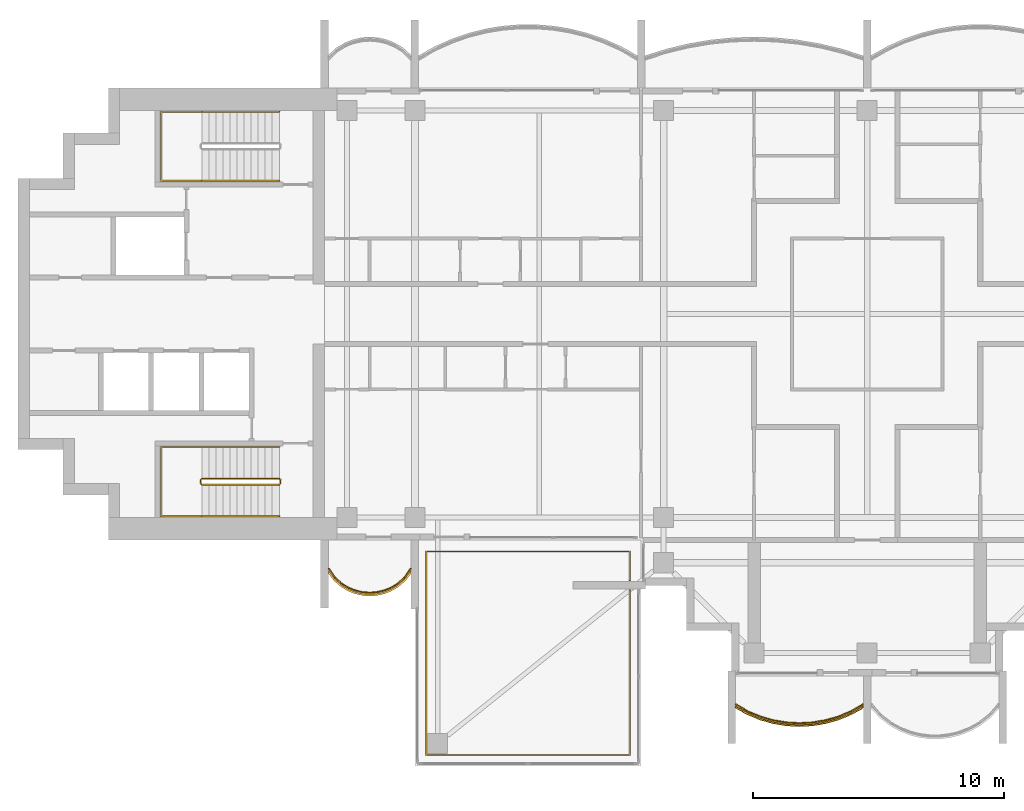
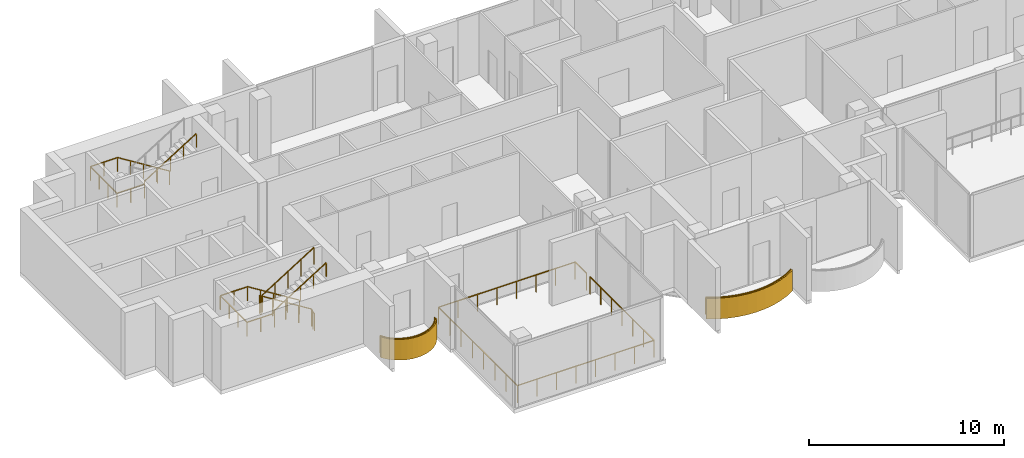
# One storey, part 13 of 16: 6 railings, 2 coverings.
"""IFC4 building model written with IfcOpenShell, lengths in metres."""

import ifcopenshell
import ifcopenshell.guid

model = None  # the IFC model being written
_history = None  # IfcOwnerHistory: only IFC2X3 demands one
_inside = {}  # id of a spatial element -> (the spatial element, [elements in it])
_under = {}  # id of a project, library or spatial element -> (it, [spatial elements below it])
_declared = {}  # id of a project -> (the project, [libraries it declares])
_typed = {}  # id of a type object -> (the type object, [elements of that type])
_made_of = {}  # id of a material, layer set ... -> (it, [elements and type objects made of it])


def new_model(schema):
    """Start an empty IFC model of exactly this schema.

    Asked for "IFC4X3", IfcOpenShell would pick the latest addendum, in which some entities
    have other attributes; the version numbers below select the first issue.
    IFC2X3 requires an IfcOwnerHistory on every rooted entity: one is made here for all.
    """
    global model, _history
    if schema == "IFC4X3":
        model = ifcopenshell.file(schema_version=(4, 3, 0, 0))
    else:
        model = ifcopenshell.file(schema=schema)
    _inside.clear()
    _under.clear()
    _declared.clear()
    _typed.clear()
    _made_of.clear()
    _history = None
    if model.schema == "IFC2X3":
        org = make("IfcOrganization", Name="unknown")
        user = make(
            "IfcPersonAndOrganization",
            ThePerson=make("IfcPerson", FamilyName="unknown"),
            TheOrganization=org,
        )
        app = make(
            "IfcApplication",
            ApplicationDeveloper=org,
            Version="unknown",
            ApplicationFullName="unknown",
            ApplicationIdentifier="unknown",
        )
        _history = make(
            "IfcOwnerHistory",
            OwningUser=user,
            OwningApplication=app,
            ChangeAction="ADDED",
            CreationDate=0,
        )
    return model


def make(cls, **values):
    """One entity of the class cls with the attributes given. An attribute that is None is left unset."""
    return model.create_entity(
        cls, **{name: value for name, value in values.items() if value is not None}
    )


def rooted(cls, **values):
    """An entity with a GlobalId (a new one), such as an element, a storey or a relation."""
    return make(cls, GlobalId=ifcopenshell.guid.new(), OwnerHistory=_history, **values)


def si_unit(unit_type, name, prefix=None):
    """IfcSIUnit, for example si_unit("LENGTHUNIT", "METRE", prefix="MILLI")."""
    return make("IfcSIUnit", UnitType=unit_type, Prefix=prefix, Name=name)


def assignment(units):
    """IfcUnitAssignment: the units of a project."""
    return None if units is None else make("IfcUnitAssignment", Units=units)


def point(xyz):
    """IfcCartesianPoint."""
    return None if xyz is None else make("IfcCartesianPoint", Coordinates=xyz)


def direction(xyz):
    """IfcDirection."""
    return None if xyz is None else make("IfcDirection", DirectionRatios=xyz)


def frame(location, z_axis=None, x_axis=None):
    """IfcAxis2Placement3D, a coordinate frame: its origin and axes. An axis left out is left unset."""
    return make(
        "IfcAxis2Placement3D",
        Location=point(location),
        Axis=direction(z_axis),
        RefDirection=direction(x_axis),
    )


def frame_2d(location, x_axis=None):
    """IfcAxis2Placement2D, a coordinate frame in the plane: its origin and x axis."""
    return make(
        "IfcAxis2Placement2D", Location=point(location), RefDirection=direction(x_axis)
    )


def origin():
    """The frame at (0, 0, 0) with its axes left unset."""
    return frame((0.0, 0.0, 0.0))


def origin_2d():
    """The frame at (0, 0) in the plane with its x axis left unset."""
    return frame_2d((0.0, 0.0))


def place(relative_to, where):
    """IfcLocalPlacement: puts the frame where relative to a parent placement (None: the world)."""
    return make(
        "IfcLocalPlacement", PlacementRelTo=relative_to, RelativePlacement=where
    )


def context(
    kind, dimensions, precision=None, world=None, true_north=None, identifier=None
):
    """IfcGeometricRepresentationContext, for example the 3D "Model" context."""
    return make(
        "IfcGeometricRepresentationContext",
        ContextIdentifier=identifier,
        ContextType=kind,
        CoordinateSpaceDimension=dimensions,
        Precision=precision,
        WorldCoordinateSystem=world,
        TrueNorth=true_north,
    )


def subcontext(parent, identifier, kind, view, scale=None):
    """IfcGeometricRepresentationSubContext, for example "Body" below "Model"."""
    return make(
        "IfcGeometricRepresentationSubContext",
        ContextIdentifier=identifier,
        ContextType=kind,
        ParentContext=parent,
        TargetScale=scale,
        TargetView=view,
    )


def project(units=None, contexts=None):
    """IfcProject with its units and contexts."""
    return rooted(
        "IfcProject",
        Name="project",
        RepresentationContexts=contexts,
        UnitsInContext=assignment(units),
    )


def spatial(cls, under=None, at=None, **own):
    """A site, building, storey or space (cls), placed at a placement, below another one or the project."""
    s = rooted(cls, ObjectPlacement=at, **own)
    if under is not None:
        _under.setdefault(under.id(), (under, []))[1].append(s)
    return s


def polyline(points):
    """IfcPolyline through the points."""
    return make("IfcPolyline", Points=[point(p) for p in points])


def profile(cls, at=None, kind="AREA", **sizes):
    """A parametric profile (cls). Its sizes go by their IFC names, for example OverallWidth=200.0."""
    return make(cls, ProfileType=kind, Position=at, **sizes)


def rectangle(**sizes):
    """IfcRectangleProfileDef."""
    return profile("IfcRectangleProfileDef", **sizes)


def outline(outer, holes=None, kind="AREA"):
    """IfcArbitraryClosedProfileDef: a profile drawn as a closed curve; with holes, ...WithVoids."""
    if holes is None:
        return make("IfcArbitraryClosedProfileDef", ProfileType=kind, OuterCurve=outer)
    return make(
        "IfcArbitraryProfileDefWithVoids",
        ProfileType=kind,
        OuterCurve=outer,
        InnerCurves=holes,
    )


def extrude(swept, where, along, depth):
    """IfcExtrudedAreaSolid: the profile swept, set in the frame where, extruded along a direction by depth."""
    return make(
        "IfcExtrudedAreaSolid",
        SweptArea=swept,
        Position=where,
        ExtrudedDirection=direction(along),
        Depth=depth,
    )


def shape(context_of_items, identifier, shape_type, items):
    """IfcShapeRepresentation: the items that make up one representation, for example the "Body"."""
    return make(
        "IfcShapeRepresentation",
        ContextOfItems=context_of_items,
        RepresentationIdentifier=identifier,
        RepresentationType=shape_type,
        Items=items,
    )


def material(Name=None, Category=None):
    """IfcMaterial."""
    return make("IfcMaterial", Name=Name, Category=Category)


def layer(
    of_material, thickness, ventilated=None, Name=None, Category=None, Priority=None
):
    """IfcMaterialLayer: one layer of a wall or slab, of a material (None: an air gap)."""
    return make(
        "IfcMaterialLayer",
        Material=of_material,
        LayerThickness=thickness,
        IsVentilated=ventilated,
        Name=Name,
        Category=Category,
        Priority=Priority,
    )


def layer_set(layers, Name=None):
    """IfcMaterialLayerSet."""
    return make("IfcMaterialLayerSet", MaterialLayers=layers, LayerSetName=Name)


def made_of(thing, what):
    """Note that an element or type object is made of a material, layer set ...; save() writes the relation."""
    if what is not None:
        _made_of.setdefault(what.id(), (what, []))[1].append(thing)
    return thing


def type_object(cls, material=None, **own):
    """A type object (cls), such as IfcWallType, which elements share."""
    return made_of(rooted(cls, **own), material)


def element(
    cls,
    number,
    at=None,
    inside=None,
    cuts=None,
    type_object=None,
    material=None,
    context=None,
    identifier="Body",
    shape_type=None,
    held_by="IfcProductDefinitionShape",
    body=None,
    shapes=None,
    **own,
):
    """One element of the class cls, such as IfcWall. Its Tag is "e" and its number.

    at: its placement. inside: the storey or other place that contains it. cuts: it is an
    opening in that element (IfcRelVoidsElement). A single representation is given by context,
    identifier, shape_type and body (its items); several are given by shapes. held_by: the class
    of the entity that holds the representations. save() writes the other relations.
    """
    e = rooted(cls, Tag="e%d" % number, ObjectPlacement=at, **own)
    if body is not None:
        shapes = [shape(context, identifier, shape_type, body)]
    if shapes is not None:
        e.Representation = make(held_by, Representations=shapes)
    if inside is not None:
        _inside.setdefault(inside.id(), (inside, []))[1].append(e)
    if cuts is not None:
        rooted(
            "IfcRelVoidsElement", RelatingBuildingElement=cuts, RelatedOpeningElement=e
        )
    if type_object is not None:
        _typed.setdefault(type_object.id(), (type_object, []))[1].append(e)
    return made_of(e, material)


def aggregate(whole, parts):
    """IfcRelAggregates: a whole, such as a stair, and the parts it consists of."""
    return rooted("IfcRelAggregates", RelatingObject=whole, RelatedObjects=parts)


def save(model, path):
    """Write the relations noted so far, then the file.

    IfcRelAggregates (storeys below a building ...), IfcRelContainedInSpatialStructure (elements
    in a storey), IfcRelDefinesByType, IfcRelAssociatesMaterial and IfcRelDeclares: one each for
    every whole, place, type object, material and project.
    """
    for whole, parts in _under.values():
        aggregate(whole, parts)
    for where, things in _inside.values():
        rooted(
            "IfcRelContainedInSpatialStructure",
            RelatedElements=things,
            RelatingStructure=where,
        )
    for kind, things in _typed.values():
        rooted("IfcRelDefinesByType", RelatedObjects=things, RelatingType=kind)
    for what, things in _made_of.values():
        rooted("IfcRelAssociatesMaterial", RelatedObjects=things, RelatingMaterial=what)
    for by, libraries in _declared.values():
        rooted("IfcRelDeclares", RelatingContext=by, RelatedDefinitions=libraries)
    model.write(path)


model = new_model("IFC4")

# Units and contexts
model_context = context("Model", 3, precision=1e-05, world=origin(), true_north=direction((0.0, 1.0)))
body_context = subcontext(model_context, "Body", "Model", "MODEL_VIEW")
ifc_project = project(units=[si_unit("LENGTHUNIT", "METRE"), si_unit("AREAUNIT", "SQUARE_METRE"), si_unit("VOLUMEUNIT", "CUBIC_METRE"), si_unit("PLANEANGLEUNIT", "RADIAN"), si_unit("MASSUNIT", "GRAM", prefix="KILO")], contexts=[model_context])

# Site, building, storey
site_placement = place(None, origin())
site = spatial("IfcSite", under=ifc_project, at=site_placement, CompositionType="ELEMENT")
building_placement = place(site_placement, origin())
building = spatial("IfcBuilding", under=site, at=building_placement, Name="Perihelion Cross Residences", CompositionType="ELEMENT")
storey_placement = place(building_placement, frame((0.0, 0.0, 294.60009765625)))
storey = spatial("IfcBuildingStorey", under=building, at=storey_placement, Name="L75", CompositionType="ELEMENT", Elevation=294.60009765625)

# Coverings
ifc_material_1 = material(Name="Bronze anodised aluminium", Category="aluminium")
ifc_layer = layer(ifc_material_1, 0.070068359375)
ifc_layer_set = layer_set([ifc_layer], Name="Balcony fascia 1300")
covering_type = type_object("IfcCoveringType", Name="Balcony fascia 1300", PredefinedType="CLADDING", material=ifc_layer_set)
covering_1_placement = place(storey_placement, frame((0.0, 0.0, -0.2001953125)))
element("IfcCovering", 1, at=covering_1_placement, inside=storey, type_object=covering_type, Name="Fascia BF1 L75 west side south bay 1", PredefinedType="CLADDING", context=body_context, shape_type="SweptSolid", body=[
    extrude(outline(polyline([(-21.226318359375, -10.616455078125), (-20.94091796875, -10.86328125), (-20.655517578125, -11.031494140625), (-20.370361328125, -11.142578125), (-20.085205078125, -11.206298828125), (-19.800048828125, -11.22705078125), (-19.514892578125, -11.206298828125), (-19.229736328125, -11.142578125), (-18.9443359375, -11.031494140625), (-18.6591796875, -10.86328125), (-18.373779296875, -10.616455078125), (-18.14990234375, -10.31689453125), (-18.14990234375, -10.199951171875), (-18.425048828125, -10.568603515625), (-18.699951171875, -10.806396484375), (-18.97509765625, -10.96875), (-19.25, -11.07568359375), (-19.52490234375, -11.136962890625), (-19.800048828125, -11.156982421875), (-20.074951171875, -11.136962890625), (-20.35009765625, -11.07568359375), (-20.625, -10.96875), (-20.89990234375, -10.806396484375), (-21.175048828125, -10.568603515625), (-21.449951171875, -10.199951171875), (-21.449951171875, -10.31689453125), (-21.226318359375, -10.616455078125)])), origin(), (0.0, 0.0, 1.0), 1.300048828125),
])
covering_2_placement = place(storey_placement, frame((0.0, 0.0, -0.2001953125)))
element("IfcCovering", 2, at=covering_2_placement, inside=storey, type_object=covering_type, Name="Fascia BF1 L75 south tip south bay 1", PredefinedType="CLADDING", context=body_context, shape_type="SweptSolid", body=[
    extrude(outline(polyline([(-4.7705078125, -15.9482421875), (-4.2529296875, -16.16064453125), (-3.735107421875, -16.306640625), (-3.217529296875, -16.391845703125), (-2.699951171875, -16.419921875), (-2.182373046875, -16.391845703125), (-1.664794921875, -16.306640625), (-1.147216796875, -16.16064453125), (-0.629638671875, -15.9482421875), (-0.14990234375, -15.68017578125), (-0.14990234375, -15.60009765625), (-0.659912109375, -15.88525390625), (-1.169921875, -16.094482421875), (-1.679931640625, -16.23828125), (-2.18994140625, -16.322265625), (-2.699951171875, -16.35009765625), (-3.2099609375, -16.322265625), (-3.719970703125, -16.23828125), (-4.22998046875, -16.094482421875), (-4.739990234375, -15.88525390625), (-5.25, -15.60009765625), (-5.25, -15.68017578125), (-4.7705078125, -15.9482421875)])), origin(), (0.0, 0.0, 1.0), 1.300048828125),
])

# Railings
ifc_material_2 = material(Name="Bronze anodised aluminium", Category="aluminium")
railing_type_1 = type_object("IfcRailingType", Name="Balcony guard 1100", PredefinedType="GUARDRAIL", material=ifc_material_2)
railing_1_placement = place(storey_placement, frame((-21.425048828125, -10.139892578125, 0.0)))
element("IfcRailing", 3, at=railing_1_placement, inside=storey, type_object=railing_type_1, Name="Guard GU1 L75 west side south bay 1 balcony", PredefinedType="GUARDRAIL", context=body_context, shape_type="SweptSolid", body=[
    extrude(rectangle(XDim=0.048095703125, YDim=0.048095703125, at=origin_2d()), frame((0.0, 0.0, 1.076171875), z_axis=(0.561260132269, -0.827639452857, 0.0), x_axis=(0.827639452857, 0.561260132269, 0.0)), (0.0, 0.0, 1.0), 0.4453125),
    extrude(rectangle(XDim=0.048095703125, YDim=0.048095703125, at=origin_2d()), frame((0.25, -0.36865234375, 1.076171875), z_axis=(0.756596535164, -0.653882009982, 0.0), x_axis=(0.653882009982, 0.756596535164, 0.0)), (0.0, 0.0, 1.0), 0.36376953125),
    extrude(rectangle(XDim=0.048095703125, YDim=0.048095703125, at=origin_2d()), frame((0.525146484375, -0.6064453125, 1.076171875), z_axis=(0.861048292884, -0.508523192511, 0.0), x_axis=(0.508523192511, 0.861048292884, 0.0)), (0.0, 0.0, 1.0), 0.3193359375),
    extrude(rectangle(XDim=0.048095703125, YDim=0.048095703125, at=origin_2d()), frame((0.800048828125, -0.768798828125, 1.076171875), z_axis=(0.931973602183, -0.362526143656, 0.0), x_axis=(0.362526143656, 0.931973602183, 0.0)), (0.0, 0.0, 1.0), 0.294921875),
    extrude(rectangle(XDim=0.048095703125, YDim=0.048095703125, at=origin_2d()), frame((1.074951171875, -0.875732421875, 1.076171875), z_axis=(0.976085059389, -0.21738895289, 0.0), x_axis=(0.21738895289, 0.976085059389, 0.0)), (0.0, 0.0, 1.0), 0.281982421875),
    extrude(rectangle(XDim=0.048095703125, YDim=0.048095703125, at=origin_2d()), frame((1.35009765625, -0.93701171875, 1.076171875), z_axis=(0.997358821833, -0.072631814734, 0.0), x_axis=(0.072631814734, 0.997358821833, 0.0)), (0.0, 0.0, 1.0), 0.275634765625),
    extrude(rectangle(XDim=0.048095703125, YDim=0.048095703125, at=origin_2d()), frame((1.625, -0.95703125, 1.076171875), z_axis=(0.997363488337, 0.072567707226, 0.0), x_axis=(-0.072567707226, 0.997363488337, 0.0)), (0.0, 0.0, 1.0), 0.27587890625),
    extrude(rectangle(XDim=0.048095703125, YDim=0.048095703125, at=origin_2d()), frame((1.900146484375, -0.93701171875, 1.076171875), z_axis=(0.976044077717, 0.217572880557, 0.0), x_axis=(-0.217572880557, 0.976044077717, 0.0)), (0.0, 0.0, 1.0), 0.28173828125),
    extrude(rectangle(XDim=0.048095703125, YDim=0.048095703125, at=origin_2d()), frame((2.175048828125, -0.875732421875, 1.076171875), z_axis=(0.931973602183, 0.362526143656, 0.0), x_axis=(-0.362526143656, 0.931973602183, 0.0)), (0.0, 0.0, 1.0), 0.294921875),
    extrude(rectangle(XDim=0.048095703125, YDim=0.048095703125, at=origin_2d()), frame((2.449951171875, -0.768798828125, 1.076171875), z_axis=(0.861245845072, 0.508188542123, 0.0), x_axis=(-0.508188542123, 0.861245845072, 0.0)), (0.0, 0.0, 1.0), 0.319580078125),
    extrude(rectangle(XDim=0.048095703125, YDim=0.048095703125, at=origin_2d()), frame((2.72509765625, -0.6064453125, 1.076171875), z_axis=(0.756309278473, 0.654214242658, 0.0), x_axis=(-0.654214242658, 0.756309278473, 0.0)), (0.0, 0.0, 1.0), 0.363525390625),
    extrude(rectangle(XDim=0.048095703125, YDim=0.048095703125, at=origin_2d()), frame((3.0, -0.36865234375, 1.076171875), z_axis=(0.561260132269, 0.827639452857, 0.0), x_axis=(-0.827639452857, 0.561260132269, 0.0)), (0.0, 0.0, 1.0), 0.4453125),
    extrude(rectangle(XDim=0.0419921875, YDim=0.0419921875, at=origin_2d()), origin(), (0.0, 0.0, 1.0), 1.052001953125),
    extrude(rectangle(XDim=0.0419921875, YDim=0.0419921875, at=origin_2d()), frame((0.25, -0.36865234375, 0.0)), (0.0, 0.0, 1.0), 1.052001953125),
    extrude(rectangle(XDim=0.0419921875, YDim=0.0419921875, at=origin_2d()), frame((0.525146484375, -0.6064453125, 0.0)), (0.0, 0.0, 1.0), 1.052001953125),
    extrude(rectangle(XDim=0.0419921875, YDim=0.0419921875, at=origin_2d()), frame((0.800048828125, -0.768798828125, 0.0)), (0.0, 0.0, 1.0), 1.052001953125),
    extrude(rectangle(XDim=0.0419921875, YDim=0.0419921875, at=origin_2d()), frame((1.074951171875, -0.875732421875, 0.0)), (0.0, 0.0, 1.0), 1.052001953125),
    extrude(rectangle(XDim=0.0419921875, YDim=0.0419921875, at=origin_2d()), frame((1.35009765625, -0.93701171875, 0.0)), (0.0, 0.0, 1.0), 1.052001953125),
    extrude(rectangle(XDim=0.0419921875, YDim=0.0419921875, at=origin_2d()), frame((1.625, -0.95703125, 0.0)), (0.0, 0.0, 1.0), 1.052001953125),
    extrude(rectangle(XDim=0.0419921875, YDim=0.0419921875, at=origin_2d()), frame((1.900146484375, -0.93701171875, 0.0)), (0.0, 0.0, 1.0), 1.052001953125),
    extrude(rectangle(XDim=0.0419921875, YDim=0.0419921875, at=origin_2d()), frame((2.175048828125, -0.875732421875, 0.0)), (0.0, 0.0, 1.0), 1.052001953125),
    extrude(rectangle(XDim=0.0419921875, YDim=0.0419921875, at=origin_2d()), frame((2.449951171875, -0.768798828125, 0.0)), (0.0, 0.0, 1.0), 1.052001953125),
    extrude(rectangle(XDim=0.0419921875, YDim=0.0419921875, at=origin_2d()), frame((2.72509765625, -0.6064453125, 0.0)), (0.0, 0.0, 1.0), 1.052001953125),
    extrude(rectangle(XDim=0.0419921875, YDim=0.0419921875, at=origin_2d()), frame((3.0, -0.36865234375, 0.0)), (0.0, 0.0, 1.0), 1.052001953125),
    extrude(rectangle(XDim=0.0419921875, YDim=0.0419921875, at=origin_2d()), frame((3.25, 0.0, 0.0)), (0.0, 0.0, 1.0), 1.052001953125),
])
railing_2_placement = place(storey_placement, frame((-5.22509765625, -15.5400390625, 0.0)))
element("IfcRailing", 4, at=railing_2_placement, inside=storey, type_object=railing_type_1, Name="Guard GU1 L75 south tip south bay 1 balcony", PredefinedType="GUARDRAIL", context=body_context, shape_type="SweptSolid", body=[
    extrude(rectangle(XDim=0.048095703125, YDim=0.048095703125, at=origin_2d()), frame((0.0, 0.0, 1.076171875), z_axis=(0.862090321172, -0.506754652808, 0.0), x_axis=(0.506754652808, 0.862090321172, 0.0)), (0.0, 0.0, 1.0), 0.562744140625),
    extrude(rectangle(XDim=0.048095703125, YDim=0.048095703125, at=origin_2d()), frame((0.485107421875, -0.28515625, 1.076171875), z_axis=(0.925017039503, -0.379925619863, 0.0), x_axis=(0.379925619863, 0.925017039503, 0.0)), (0.0, 0.0, 1.0), 0.55126953125),
    extrude(rectangle(XDim=0.048095703125, YDim=0.048095703125, at=origin_2d()), frame((0.9951171875, -0.49462890625, 1.076171875), z_axis=(0.962594623481, -0.270945734134, 0.0), x_axis=(0.270945734134, 0.962594623481, 0.0)), (0.0, 0.0, 1.0), 0.52978515625),
    extrude(rectangle(XDim=0.048095703125, YDim=0.048095703125, at=origin_2d()), frame((1.505126953125, -0.63818359375, 1.076171875), z_axis=(0.986711211531, -0.162483799314, 0.0), x_axis=(0.162483799314, 0.986711211531, 0.0)), (0.0, 0.0, 1.0), 0.516845703125),
    extrude(rectangle(XDim=0.048095703125, YDim=0.048095703125, at=origin_2d()), frame((2.01513671875, -0.72216796875, 1.076171875), z_axis=(0.998514289702, -0.054490487806, 0.0), x_axis=(0.054490487806, 0.998514289702, 0.0)), (0.0, 0.0, 1.0), 0.5107421875),
    extrude(rectangle(XDim=0.048095703125, YDim=0.048095703125, at=origin_2d()), frame((2.525146484375, -0.75, 1.076171875), z_axis=(0.998514289702, 0.054490487806, 0.0), x_axis=(-0.054490487806, 0.998514289702, 0.0)), (0.0, 0.0, 1.0), 0.5107421875),
    extrude(rectangle(XDim=0.048095703125, YDim=0.048095703125, at=origin_2d()), frame((3.03515625, -0.72216796875, 1.076171875), z_axis=(0.986711211531, 0.162483799314, 0.0), x_axis=(-0.162483799314, 0.986711211531, 0.0)), (0.0, 0.0, 1.0), 0.516845703125),
    extrude(rectangle(XDim=0.048095703125, YDim=0.048095703125, at=origin_2d()), frame((3.545166015625, -0.63818359375, 1.076171875), z_axis=(0.962594623481, 0.270945734134, 0.0), x_axis=(-0.270945734134, 0.962594623481, 0.0)), (0.0, 0.0, 1.0), 0.52978515625),
    extrude(rectangle(XDim=0.048095703125, YDim=0.048095703125, at=origin_2d()), frame((4.05517578125, -0.49462890625, 1.076171875), z_axis=(0.925017039503, 0.379925619863, 0.0), x_axis=(-0.379925619863, 0.925017039503, 0.0)), (0.0, 0.0, 1.0), 0.55126953125),
    extrude(rectangle(XDim=0.048095703125, YDim=0.048095703125, at=origin_2d()), frame((4.565185546875, -0.28515625, 1.076171875), z_axis=(0.861978841907, 0.506944253448, 0.0), x_axis=(-0.506944253448, 0.861978841907, 0.0)), (0.0, 0.0, 1.0), 0.5625),
    extrude(rectangle(XDim=0.0419921875, YDim=0.0419921875, at=origin_2d()), origin(), (0.0, 0.0, 1.0), 1.052001953125),
    extrude(rectangle(XDim=0.0419921875, YDim=0.0419921875, at=origin_2d()), frame((0.485107421875, -0.28515625, 0.0)), (0.0, 0.0, 1.0), 1.052001953125),
    extrude(rectangle(XDim=0.0419921875, YDim=0.0419921875, at=origin_2d()), frame((0.9951171875, -0.49462890625, 0.0)), (0.0, 0.0, 1.0), 1.052001953125),
    extrude(rectangle(XDim=0.0419921875, YDim=0.0419921875, at=origin_2d()), frame((1.505126953125, -0.63818359375, 0.0)), (0.0, 0.0, 1.0), 1.052001953125),
    extrude(rectangle(XDim=0.0419921875, YDim=0.0419921875, at=origin_2d()), frame((2.01513671875, -0.72216796875, 0.0)), (0.0, 0.0, 1.0), 1.052001953125),
    extrude(rectangle(XDim=0.0419921875, YDim=0.0419921875, at=origin_2d()), frame((2.525146484375, -0.75, 0.0)), (0.0, 0.0, 1.0), 1.052001953125),
    extrude(rectangle(XDim=0.0419921875, YDim=0.0419921875, at=origin_2d()), frame((3.03515625, -0.72216796875, 0.0)), (0.0, 0.0, 1.0), 1.052001953125),
    extrude(rectangle(XDim=0.0419921875, YDim=0.0419921875, at=origin_2d()), frame((3.545166015625, -0.63818359375, 0.0)), (0.0, 0.0, 1.0), 1.052001953125),
    extrude(rectangle(XDim=0.0419921875, YDim=0.0419921875, at=origin_2d()), frame((4.05517578125, -0.49462890625, 0.0)), (0.0, 0.0, 1.0), 1.052001953125),
    extrude(rectangle(XDim=0.0419921875, YDim=0.0419921875, at=origin_2d()), frame((4.565185546875, -0.28515625, 0.0)), (0.0, 0.0, 1.0), 1.052001953125),
    extrude(rectangle(XDim=0.0419921875, YDim=0.0419921875, at=origin_2d()), frame((5.050048828125, 0.0, 0.0)), (0.0, 0.0, 1.0), 1.052001953125),
])
railing_3_placement = place(storey_placement, frame((-9.449951171875, -10.989990234375, 0.0)))
element("IfcRailing", 5, at=railing_3_placement, inside=storey, type_object=railing_type_1, Name="Guard GU1 L75 pocket south-west 1", PredefinedType="GUARDRAIL", context=body_context, shape_type="SweptSolid", body=[
    extrude(rectangle(XDim=0.048095703125, YDim=0.048095703125, at=origin_2d()), frame((0.0, 0.0, 1.076171875), z_axis=(0.0, -1.0, 0.0), x_axis=(1.0, 0.0, 0.0)), (0.0, 0.0, 1.0), 6.56005859375),
    extrude(rectangle(XDim=0.048095703125, YDim=0.048095703125, at=origin_2d()), frame((0.0, -6.56005859375, 1.076171875), z_axis=(-1.0, 0.0, 0.0), x_axis=(0.0, -1.0, 0.0)), (0.0, 0.0, 1.0), 8.10009765625),
    extrude(rectangle(XDim=0.048095703125, YDim=0.048095703125, at=origin_2d()), frame((-8.10009765625, -6.56005859375, 1.076171875), z_axis=(0.0, 1.0, 0.0), x_axis=(-1.0, 0.0, 0.0)), (0.0, 0.0, 1.0), 8.10009765625),
    extrude(rectangle(XDim=0.048095703125, YDim=0.048095703125, at=origin_2d()), frame((-8.10009765625, 1.5400390625, 1.076171875), z_axis=(1.0, 0.0, 0.0), x_axis=(0.0, 1.0, 0.0)), (0.0, 0.0, 1.0), 8.10009765625),
    extrude(rectangle(XDim=0.048095703125, YDim=0.048095703125, at=origin_2d()), frame((0.0, 1.5400390625, 1.076171875), z_axis=(0.0, -1.0, 0.0), x_axis=(1.0, 0.0, 0.0)), (0.0, 0.0, 1.0), 1.16015625),
    extrude(rectangle(XDim=0.0419921875, YDim=0.0419921875, at=origin_2d()), origin(), (0.0, 0.0, 1.0), 1.052001953125),
    extrude(rectangle(XDim=0.0419921875, YDim=0.0419921875, at=origin_2d()), frame((0.0, -1.09326171875, 0.0)), (0.0, 0.0, 1.0), 1.052001953125),
    extrude(rectangle(XDim=0.0419921875, YDim=0.0419921875, at=origin_2d()), frame((0.0, -2.186767578125, 0.0)), (0.0, 0.0, 1.0), 1.052001953125),
    extrude(rectangle(XDim=0.0419921875, YDim=0.0419921875, at=origin_2d()), frame((0.0, -3.280029296875, 0.0)), (0.0, 0.0, 1.0), 1.052001953125),
    extrude(rectangle(XDim=0.0419921875, YDim=0.0419921875, at=origin_2d()), frame((0.0, -4.373291015625, 0.0)), (0.0, 0.0, 1.0), 1.052001953125),
    extrude(rectangle(XDim=0.0419921875, YDim=0.0419921875, at=origin_2d()), frame((0.0, -5.466796875, 0.0)), (0.0, 0.0, 1.0), 1.052001953125),
    extrude(rectangle(XDim=0.0419921875, YDim=0.0419921875, at=origin_2d()), frame((0.0, -6.56005859375, 0.0)), (0.0, 0.0, 1.0), 1.052001953125),
    extrude(rectangle(XDim=0.0419921875, YDim=0.0419921875, at=origin_2d()), frame((-1.1572265625, -6.56005859375, 0.0)), (0.0, 0.0, 1.0), 1.052001953125),
    extrude(rectangle(XDim=0.0419921875, YDim=0.0419921875, at=origin_2d()), frame((-2.314208984375, -6.56005859375, 0.0)), (0.0, 0.0, 1.0), 1.052001953125),
    extrude(rectangle(XDim=0.0419921875, YDim=0.0419921875, at=origin_2d()), frame((-3.471435546875, -6.56005859375, 0.0)), (0.0, 0.0, 1.0), 1.052001953125),
    extrude(rectangle(XDim=0.0419921875, YDim=0.0419921875, at=origin_2d()), frame((-4.628662109375, -6.56005859375, 0.0)), (0.0, 0.0, 1.0), 1.052001953125),
    extrude(rectangle(XDim=0.0419921875, YDim=0.0419921875, at=origin_2d()), frame((-5.785888671875, -6.56005859375, 0.0)), (0.0, 0.0, 1.0), 1.052001953125),
    extrude(rectangle(XDim=0.0419921875, YDim=0.0419921875, at=origin_2d()), frame((-6.94287109375, -6.56005859375, 0.0)), (0.0, 0.0, 1.0), 1.052001953125),
    extrude(rectangle(XDim=0.0419921875, YDim=0.0419921875, at=origin_2d()), frame((-8.10009765625, -6.56005859375, 0.0)), (0.0, 0.0, 1.0), 1.052001953125),
    extrude(rectangle(XDim=0.0419921875, YDim=0.0419921875, at=origin_2d()), frame((-8.10009765625, -5.40283203125, 0.0)), (0.0, 0.0, 1.0), 1.052001953125),
    extrude(rectangle(XDim=0.0419921875, YDim=0.0419921875, at=origin_2d()), frame((-8.10009765625, -4.245849609375, 0.0)), (0.0, 0.0, 1.0), 1.052001953125),
    extrude(rectangle(XDim=0.0419921875, YDim=0.0419921875, at=origin_2d()), frame((-8.10009765625, -3.088623046875, 0.0)), (0.0, 0.0, 1.0), 1.052001953125),
    extrude(rectangle(XDim=0.0419921875, YDim=0.0419921875, at=origin_2d()), frame((-8.10009765625, -1.931396484375, 0.0)), (0.0, 0.0, 1.0), 1.052001953125),
    extrude(rectangle(XDim=0.0419921875, YDim=0.0419921875, at=origin_2d()), frame((-8.10009765625, -0.774169921875, 0.0)), (0.0, 0.0, 1.0), 1.052001953125),
    extrude(rectangle(XDim=0.0419921875, YDim=0.0419921875, at=origin_2d()), frame((-8.10009765625, 0.3828125, 0.0)), (0.0, 0.0, 1.0), 1.052001953125),
    extrude(rectangle(XDim=0.0419921875, YDim=0.0419921875, at=origin_2d()), frame((-8.10009765625, 1.5400390625, 0.0)), (0.0, 0.0, 1.0), 1.052001953125),
    extrude(rectangle(XDim=0.0419921875, YDim=0.0419921875, at=origin_2d()), frame((-6.94287109375, 1.5400390625, 0.0)), (0.0, 0.0, 1.0), 1.052001953125),
    extrude(rectangle(XDim=0.0419921875, YDim=0.0419921875, at=origin_2d()), frame((-5.785888671875, 1.5400390625, 0.0)), (0.0, 0.0, 1.0), 1.052001953125),
    extrude(rectangle(XDim=0.0419921875, YDim=0.0419921875, at=origin_2d()), frame((-4.628662109375, 1.5400390625, 0.0)), (0.0, 0.0, 1.0), 1.052001953125),
    extrude(rectangle(XDim=0.0419921875, YDim=0.0419921875, at=origin_2d()), frame((-3.471435546875, 1.5400390625, 0.0)), (0.0, 0.0, 1.0), 1.052001953125),
    extrude(rectangle(XDim=0.0419921875, YDim=0.0419921875, at=origin_2d()), frame((-2.314208984375, 1.5400390625, 0.0)), (0.0, 0.0, 1.0), 1.052001953125),
    extrude(rectangle(XDim=0.0419921875, YDim=0.0419921875, at=origin_2d()), frame((-1.1572265625, 1.5400390625, 0.0)), (0.0, 0.0, 1.0), 1.052001953125),
    extrude(rectangle(XDim=0.0419921875, YDim=0.0419921875, at=origin_2d()), frame((0.0, 1.5400390625, 0.0)), (0.0, 0.0, 1.0), 1.052001953125),
    extrude(rectangle(XDim=0.0419921875, YDim=0.0419921875, at=origin_2d()), frame((0.0, 0.3798828125, 0.0)), (0.0, 0.0, 1.0), 1.052001953125),
])
ifc_material_3 = material(Name="Stainless steel", Category="steel")
railing_type_2 = type_object("IfcRailingType", Name="Stair guard 1100", PredefinedType="GUARDRAIL", material=ifc_material_3)
railing_4_placement = place(storey_placement, frame((-23.35009765625, -6.75, 0.0)))
element("IfcRailing", 6, at=railing_4_placement, inside=storey, type_object=railing_type_2, Name="L75 ST-W2 stair guard 1", PredefinedType="GUARDRAIL", context=body_context, shape_type="SweptSolid", body=[
    extrude(rectangle(XDim=0.048095703125, YDim=0.048095703125, at=origin_2d()), frame((0.0, 0.0, 1.076171875), z_axis=(0.0, 1.0, 0.0), x_axis=(-1.0, 0.0, 0.0)), (0.0, 0.0, 1.0), 0.14990234375),
    extrude(rectangle(XDim=0.048095703125, YDim=0.048095703125, at=origin_2d()), frame((0.0, 0.14990234375, 1.076171875), z_axis=(-0.264179342666, 0.265474339444, 0.927217692888), x_axis=(-0.708833529934, -0.705375805398, 0.0)), (0.0, 0.0, 1.0), 0.1884765625),
    extrude(rectangle(XDim=0.048095703125, YDim=0.048095703125, at=origin_2d()), frame((-0.0498046875, 0.199951171875, 1.2509765625), z_axis=(-0.847998304005, 0.0, 0.529998940003), x_axis=(0.0, -1.0, 0.0)), (0.0, 0.0, 1.0), 3.632080078125),
    extrude(rectangle(XDim=0.048095703125, YDim=0.048095703125, at=origin_2d()), frame((-3.1298828125, 0.199951171875, 3.17578125), z_axis=(-0.707106781187, -0.707106781187, 0.0), x_axis=(0.707106781187, -0.707106781187, 0.0)), (0.0, 0.0, 1.0), 0.07080078125),
    extrude(rectangle(XDim=0.048095703125, YDim=0.048095703125, at=origin_2d()), frame((-3.179931640625, 0.14990234375, 3.17578125), z_axis=(0.0, -1.0, 0.0), x_axis=(1.0, 0.0, 0.0)), (0.0, 0.0, 1.0), 0.14990234375),
    extrude(rectangle(XDim=0.048095703125, YDim=0.048095703125, at=origin_2d()), frame((-3.179931640625, 0.0, 3.17578125), z_axis=(0.265065253269, -0.265065253269, 0.927081885822), x_axis=(0.707106781187, 0.707106781187, 0.0)), (0.0, 0.0, 1.0), 0.188720703125),
    extrude(rectangle(XDim=0.048095703125, YDim=0.048095703125, at=origin_2d()), frame((-3.1298828125, -0.050048828125, 3.35107421875), z_axis=(0.847998304005, 0.0, 0.529998940003), x_axis=(0.0, 1.0, 0.0)), (0.0, 0.0, 1.0), 3.632080078125),
    extrude(rectangle(XDim=0.0419921875, YDim=0.0419921875, at=origin_2d()), origin(), (0.0, 0.0, 1.0), 1.052001953125),
    extrude(rectangle(XDim=0.0419921875, YDim=0.0419921875, at=origin_2d()), frame((0.0, 0.14990234375, 0.0)), (0.0, 0.0, 1.0), 1.052001953125),
    extrude(rectangle(XDim=0.0419921875, YDim=0.0419921875, at=origin_2d()), frame((-0.0498046875, 0.199951171875, 0.1748046875)), (0.0, 0.0, 1.0), 1.052001953125),
    extrude(rectangle(XDim=0.0419921875, YDim=0.0419921875, at=origin_2d()), frame((-0.81982421875, 0.199951171875, 0.656005859375)), (0.0, 0.0, 1.0), 1.052001953125),
    extrude(rectangle(XDim=0.0419921875, YDim=0.0419921875, at=origin_2d()), frame((-1.58984375, 0.199951171875, 1.13720703125)), (0.0, 0.0, 1.0), 1.052001953125),
    extrude(rectangle(XDim=0.0419921875, YDim=0.0419921875, at=origin_2d()), frame((-2.35986328125, 0.199951171875, 1.61865234375)), (0.0, 0.0, 1.0), 1.052001953125),
    extrude(rectangle(XDim=0.0419921875, YDim=0.0419921875, at=origin_2d()), frame((-3.1298828125, 0.199951171875, 2.099853515625)), (0.0, 0.0, 1.0), 1.052001953125),
    extrude(rectangle(XDim=0.0419921875, YDim=0.0419921875, at=origin_2d()), frame((-3.179931640625, 0.14990234375, 2.099853515625)), (0.0, 0.0, 1.0), 1.052001953125),
    extrude(rectangle(XDim=0.0419921875, YDim=0.0419921875, at=origin_2d()), frame((-3.179931640625, 0.0, 2.099853515625)), (0.0, 0.0, 1.0), 1.052001953125),
    extrude(rectangle(XDim=0.0419921875, YDim=0.0419921875, at=origin_2d()), frame((-3.1298828125, -0.050048828125, 2.27490234375)), (0.0, 0.0, 1.0), 1.052001953125),
    extrude(rectangle(XDim=0.0419921875, YDim=0.0419921875, at=origin_2d()), frame((-2.35986328125, -0.050048828125, 2.756103515625)), (0.0, 0.0, 1.0), 1.052001953125),
    extrude(rectangle(XDim=0.0419921875, YDim=0.0419921875, at=origin_2d()), frame((-1.58984375, -0.050048828125, 3.2373046875)), (0.0, 0.0, 1.0), 1.052001953125),
    extrude(rectangle(XDim=0.0419921875, YDim=0.0419921875, at=origin_2d()), frame((-0.81982421875, -0.050048828125, 3.71875)), (0.0, 0.0, 1.0), 1.052001953125),
    extrude(rectangle(XDim=0.0419921875, YDim=0.0419921875, at=origin_2d()), frame((-0.0498046875, -0.050048828125, 4.199951171875)), (0.0, 0.0, 1.0), 1.052001953125),
])
ifc_material_4 = material(Name="Stainless steel", Category="steel")
railing_type_3 = type_object("IfcRailingType", Name="Stair handrail 900", PredefinedType="HANDRAIL", material=ifc_material_4)
railing_5_placement = place(storey_placement, frame((-23.39990234375, 8.050048828125, 0.1748046875)))
element("IfcRailing", 7, at=railing_5_placement, inside=storey, type_object=railing_type_3, Name="L75 ST-W1 stair handrail 1", PredefinedType="HANDRAIL", context=body_context, shape_type="SweptSolid", body=[
    extrude(rectangle(XDim=0.048095703125, YDim=0.048095703125, at=origin_2d()), frame((0.0, 0.0, 0.8759765625), z_axis=(-0.847998304005, 0.0, 0.529998940003), x_axis=(0.0, -1.0, 0.0)), (0.0, 0.0, 1.0), 3.632080078125),
    extrude(rectangle(XDim=0.048095703125, YDim=0.048095703125, at=origin_2d()), frame((-3.080078125, 0.0, 2.80078125), z_axis=(-1.0, 0.0, 0.0), x_axis=(0.0, -1.0, 0.0)), (0.0, 0.0, 1.0), 1.6201171875),
    extrude(rectangle(XDim=0.048095703125, YDim=0.048095703125, at=origin_2d()), frame((-4.7001953125, 0.0, 2.80078125), z_axis=(0.0, -1.0, 0.0), x_axis=(1.0, 0.0, 0.0)), (0.0, 0.0, 1.0), 2.75),
    extrude(rectangle(XDim=0.048095703125, YDim=0.048095703125, at=origin_2d()), frame((-4.7001953125, -2.75, 2.80078125), z_axis=(1.0, 0.0, 0.0), x_axis=(0.0, 1.0, 0.0)), (0.0, 0.0, 1.0), 1.6201171875),
    extrude(rectangle(XDim=0.048095703125, YDim=0.048095703125, at=origin_2d()), frame((-3.080078125, -2.75, 2.80078125), z_axis=(0.0, 0.0, 1.0), x_axis=(1.0, 0.0, 0.0)), (0.0, 0.0, 1.0), 0.175048828125),
    extrude(rectangle(XDim=0.048095703125, YDim=0.048095703125, at=origin_2d()), frame((-3.080078125, -2.75, 2.97607421875), z_axis=(0.847998304005, 0.0, 0.529998940003), x_axis=(0.0, 1.0, 0.0)), (0.0, 0.0, 1.0), 3.632080078125),
    extrude(rectangle(XDim=0.0419921875, YDim=0.0419921875, at=origin_2d()), origin(), (0.0, 0.0, 1.0), 0.851806640625),
    extrude(rectangle(XDim=0.0419921875, YDim=0.0419921875, at=origin_2d()), frame((-0.77001953125, 0.0, 0.481201171875)), (0.0, 0.0, 1.0), 0.851806640625),
    extrude(rectangle(XDim=0.0419921875, YDim=0.0419921875, at=origin_2d()), frame((-1.5400390625, 0.0, 0.96240234375)), (0.0, 0.0, 1.0), 0.851806640625),
    extrude(rectangle(XDim=0.0419921875, YDim=0.0419921875, at=origin_2d()), frame((-2.31005859375, 0.0, 1.44384765625)), (0.0, 0.0, 1.0), 0.851806640625),
    extrude(rectangle(XDim=0.0419921875, YDim=0.0419921875, at=origin_2d()), frame((-3.080078125, 0.0, 1.925048828125)), (0.0, 0.0, 1.0), 0.851806640625),
    extrude(rectangle(XDim=0.0419921875, YDim=0.0419921875, at=origin_2d()), frame((-3.89013671875, 0.0, 1.925048828125)), (0.0, 0.0, 1.0), 0.851806640625),
    extrude(rectangle(XDim=0.0419921875, YDim=0.0419921875, at=origin_2d()), frame((-4.7001953125, 0.0, 1.925048828125)), (0.0, 0.0, 1.0), 0.851806640625),
    extrude(rectangle(XDim=0.0419921875, YDim=0.0419921875, at=origin_2d()), frame((-4.7001953125, -0.916748046875, 1.925048828125)), (0.0, 0.0, 1.0), 0.851806640625),
    extrude(rectangle(XDim=0.0419921875, YDim=0.0419921875, at=origin_2d()), frame((-4.7001953125, -1.833251953125, 1.925048828125)), (0.0, 0.0, 1.0), 0.851806640625),
    extrude(rectangle(XDim=0.0419921875, YDim=0.0419921875, at=origin_2d()), frame((-4.7001953125, -2.75, 1.925048828125)), (0.0, 0.0, 1.0), 0.851806640625),
    extrude(rectangle(XDim=0.0419921875, YDim=0.0419921875, at=origin_2d()), frame((-3.89013671875, -2.75, 1.925048828125)), (0.0, 0.0, 1.0), 0.851806640625),
    extrude(rectangle(XDim=0.0419921875, YDim=0.0419921875, at=origin_2d()), frame((-3.080078125, -2.75, 1.925048828125)), (0.0, 0.0, 1.0), 0.851806640625),
    extrude(rectangle(XDim=0.0419921875, YDim=0.0419921875, at=origin_2d()), frame((-3.080078125, -2.75, 2.10009765625)), (0.0, 0.0, 1.0), 0.851806640625),
    extrude(rectangle(XDim=0.0419921875, YDim=0.0419921875, at=origin_2d()), frame((-2.31005859375, -2.75, 2.581298828125)), (0.0, 0.0, 1.0), 0.851806640625),
    extrude(rectangle(XDim=0.0419921875, YDim=0.0419921875, at=origin_2d()), frame((-1.5400390625, -2.75, 3.0625)), (0.0, 0.0, 1.0), 0.851806640625),
    extrude(rectangle(XDim=0.0419921875, YDim=0.0419921875, at=origin_2d()), frame((-0.77001953125, -2.75, 3.5439453125)), (0.0, 0.0, 1.0), 0.851806640625),
    extrude(rectangle(XDim=0.0419921875, YDim=0.0419921875, at=origin_2d()), frame((0.0, -2.75, 4.025146484375)), (0.0, 0.0, 1.0), 0.851806640625),
])
railing_6_placement = place(storey_placement, frame((-23.39990234375, -5.300048828125, 0.1748046875)))
element("IfcRailing", 8, at=railing_6_placement, inside=storey, type_object=railing_type_3, Name="L75 ST-W2 stair handrail 1", PredefinedType="HANDRAIL", context=body_context, shape_type="SweptSolid", body=[
    extrude(rectangle(XDim=0.048095703125, YDim=0.048095703125, at=origin_2d()), frame((0.0, 0.0, 0.8759765625), z_axis=(-0.847998304005, 0.0, 0.529998940003), x_axis=(0.0, -1.0, 0.0)), (0.0, 0.0, 1.0), 3.632080078125),
    extrude(rectangle(XDim=0.048095703125, YDim=0.048095703125, at=origin_2d()), frame((-3.080078125, 0.0, 2.80078125), z_axis=(-1.0, 0.0, 0.0), x_axis=(0.0, -1.0, 0.0)), (0.0, 0.0, 1.0), 1.6201171875),
    extrude(rectangle(XDim=0.048095703125, YDim=0.048095703125, at=origin_2d()), frame((-4.7001953125, 0.0, 2.80078125), z_axis=(0.0, -1.0, 0.0), x_axis=(1.0, 0.0, 0.0)), (0.0, 0.0, 1.0), 2.75),
    extrude(rectangle(XDim=0.048095703125, YDim=0.048095703125, at=origin_2d()), frame((-4.7001953125, -2.75, 2.80078125), z_axis=(1.0, 0.0, 0.0), x_axis=(0.0, 1.0, 0.0)), (0.0, 0.0, 1.0), 1.6201171875),
    extrude(rectangle(XDim=0.048095703125, YDim=0.048095703125, at=origin_2d()), frame((-3.080078125, -2.75, 2.80078125), z_axis=(0.0, 0.0, 1.0), x_axis=(1.0, 0.0, 0.0)), (0.0, 0.0, 1.0), 0.175048828125),
    extrude(rectangle(XDim=0.048095703125, YDim=0.048095703125, at=origin_2d()), frame((-3.080078125, -2.75, 2.97607421875), z_axis=(0.847998304005, 0.0, 0.529998940003), x_axis=(0.0, 1.0, 0.0)), (0.0, 0.0, 1.0), 3.632080078125),
    extrude(rectangle(XDim=0.0419921875, YDim=0.0419921875, at=origin_2d()), origin(), (0.0, 0.0, 1.0), 0.851806640625),
    extrude(rectangle(XDim=0.0419921875, YDim=0.0419921875, at=origin_2d()), frame((-0.77001953125, 0.0, 0.481201171875)), (0.0, 0.0, 1.0), 0.851806640625),
    extrude(rectangle(XDim=0.0419921875, YDim=0.0419921875, at=origin_2d()), frame((-1.5400390625, 0.0, 0.96240234375)), (0.0, 0.0, 1.0), 0.851806640625),
    extrude(rectangle(XDim=0.0419921875, YDim=0.0419921875, at=origin_2d()), frame((-2.31005859375, 0.0, 1.44384765625)), (0.0, 0.0, 1.0), 0.851806640625),
    extrude(rectangle(XDim=0.0419921875, YDim=0.0419921875, at=origin_2d()), frame((-3.080078125, 0.0, 1.925048828125)), (0.0, 0.0, 1.0), 0.851806640625),
    extrude(rectangle(XDim=0.0419921875, YDim=0.0419921875, at=origin_2d()), frame((-3.89013671875, 0.0, 1.925048828125)), (0.0, 0.0, 1.0), 0.851806640625),
    extrude(rectangle(XDim=0.0419921875, YDim=0.0419921875, at=origin_2d()), frame((-4.7001953125, 0.0, 1.925048828125)), (0.0, 0.0, 1.0), 0.851806640625),
    extrude(rectangle(XDim=0.0419921875, YDim=0.0419921875, at=origin_2d()), frame((-4.7001953125, -0.916748046875, 1.925048828125)), (0.0, 0.0, 1.0), 0.851806640625),
    extrude(rectangle(XDim=0.0419921875, YDim=0.0419921875, at=origin_2d()), frame((-4.7001953125, -1.833251953125, 1.925048828125)), (0.0, 0.0, 1.0), 0.851806640625),
    extrude(rectangle(XDim=0.0419921875, YDim=0.0419921875, at=origin_2d()), frame((-4.7001953125, -2.75, 1.925048828125)), (0.0, 0.0, 1.0), 0.851806640625),
    extrude(rectangle(XDim=0.0419921875, YDim=0.0419921875, at=origin_2d()), frame((-3.89013671875, -2.75, 1.925048828125)), (0.0, 0.0, 1.0), 0.851806640625),
    extrude(rectangle(XDim=0.0419921875, YDim=0.0419921875, at=origin_2d()), frame((-3.080078125, -2.75, 1.925048828125)), (0.0, 0.0, 1.0), 0.851806640625),
    extrude(rectangle(XDim=0.0419921875, YDim=0.0419921875, at=origin_2d()), frame((-3.080078125, -2.75, 2.10009765625)), (0.0, 0.0, 1.0), 0.851806640625),
    extrude(rectangle(XDim=0.0419921875, YDim=0.0419921875, at=origin_2d()), frame((-2.31005859375, -2.75, 2.581298828125)), (0.0, 0.0, 1.0), 0.851806640625),
    extrude(rectangle(XDim=0.0419921875, YDim=0.0419921875, at=origin_2d()), frame((-1.5400390625, -2.75, 3.0625)), (0.0, 0.0, 1.0), 0.851806640625),
    extrude(rectangle(XDim=0.0419921875, YDim=0.0419921875, at=origin_2d()), frame((-0.77001953125, -2.75, 3.5439453125)), (0.0, 0.0, 1.0), 0.851806640625),
    extrude(rectangle(XDim=0.0419921875, YDim=0.0419921875, at=origin_2d()), frame((0.0, -2.75, 4.025146484375)), (0.0, 0.0, 1.0), 0.851806640625),
])

save(model, "model.ifc")
